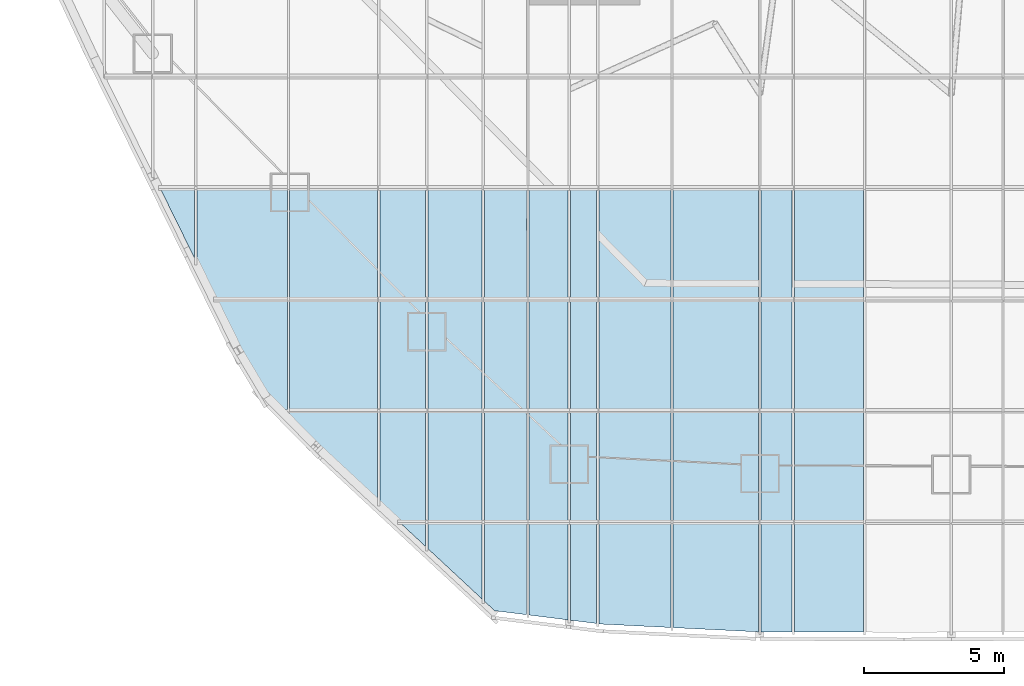
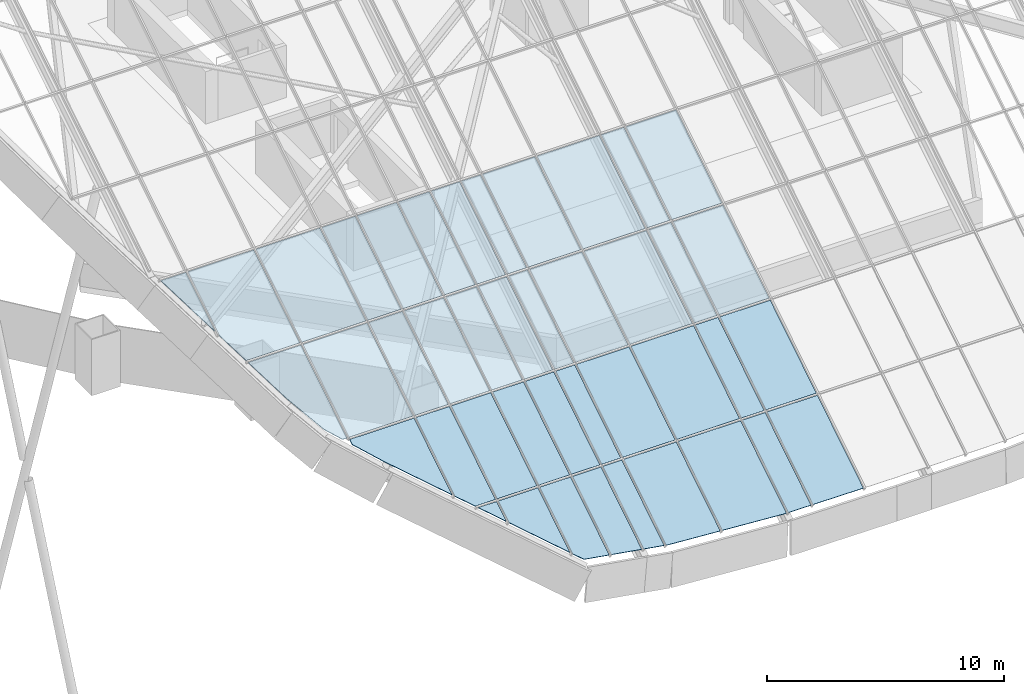
# One storey, part 26 of 38: 42 plates, 42 elements without a shape of their own.
"""IFC4 building model written with IfcOpenShell, lengths in metres."""

from ifc_helpers import new_model, si_unit, direction, frame, origin, place, context, subcontext, project, spatial, polyline, outline, extrude, material, layer, layer_set, type_object, element, aggregate, save


model = new_model("IFC4")

# Units and contexts
model_context = context("Model", 3, precision=1e-05, world=origin(), true_north=direction((0.0, 1.0)))
body_context = subcontext(model_context, "Body", "Model", "MODEL_VIEW")
ifc_project = project(units=[si_unit("LENGTHUNIT", "METRE"), si_unit("AREAUNIT", "SQUARE_METRE"), si_unit("VOLUMEUNIT", "CUBIC_METRE"), si_unit("PLANEANGLEUNIT", "RADIAN"), si_unit("MASSUNIT", "GRAM", prefix="KILO")], contexts=[model_context])

# Site, building, storey
site_placement = place(None, origin())
site = spatial("IfcSite", under=ifc_project, at=site_placement, CompositionType="ELEMENT")
building_placement = place(site_placement, origin())
building = spatial("IfcBuilding", under=site, at=building_placement, Name="Dongbaek Canopy Tower", CompositionType="ELEMENT")
storey_placement = place(building_placement, frame((0.0, 0.0, 375.800048828125)))
storey = spatial("IfcBuildingStorey", under=building, at=storey_placement, Name="Roof", CompositionType="ELEMENT", Elevation=375.800048828125)

# Curtain wall, plate
ifc_material_1 = material(Name="Aluminium 6063-T6 pale anodised", Category="aluminium")
ifc_layer_1 = layer(ifc_material_1, 0.199951171875)
ifc_layer_set_1 = layer_set([ifc_layer_1], Name="CW-6 canopy glazing curtain wall")
curtain_wall_type = type_object("IfcCurtainWallType", Name="CW-6 canopy glazing curtain wall", PredefinedType="NOTDEFINED", material=ifc_layer_set_1)
curtain_wall_1_placement = place(storey_placement, origin())
curtain_wall_1 = element("IfcCurtainWall", 1, at=curtain_wall_1_placement, inside=storey, type_object=curtain_wall_type, Name="CW-6 canopy glazing south 4.5", PredefinedType="NOTDEFINED")
ifc_material_2 = material(Name="Clear laminated glass", Category="glass")
ifc_layer_2 = layer(ifc_material_2, 0.0400390625)
ifc_layer_set_2 = layer_set([ifc_layer_2], Name="CW-6 glazed panel 40")
plate_type = type_object("IfcPlateType", Name="CW-6 glazed panel 40", PredefinedType="CURTAIN_PANEL", material=ifc_layer_set_2)
plate_1_placement = place(storey_placement, frame((-25.389892578125, -19.463623046875, 6.5849609375), z_axis=(0.0, -0.529931286674, 0.848040583583), x_axis=(-0.385038565843, 0.782657064786, 0.489073840799)))
plate_1 = element("IfcPlate", 2, at=plate_1_placement, type_object=plate_type, Name="CW-6 panel S4.5", PredefinedType="CURTAIN_PANEL", context=body_context, shape_type="SweptSolid", body=[
    extrude(outline(polyline([(0.0, 0.0), (3.1633651435865215, 1.1102230246251565e-16), (2.694381402133434, -1.1241090120064663), (0.0, 0.0)])), origin(), (0.0, 0.0, -1.0), 0.0400390625),
])
aggregate(curtain_wall_1, [plate_1])

curtain_wall_2_placement = place(storey_placement, origin())
curtain_wall_2 = element("IfcCurtainWall", 3, at=curtain_wall_2_placement, inside=storey, type_object=curtain_wall_type, Name="CW-6 canopy glazing south 5.5", PredefinedType="NOTDEFINED")
plate_2_placement = place(storey_placement, frame((-25.303955078125, -19.638427734375, 6.475830078125), z_axis=(2.2826719e-05, -0.529943862908, 0.848032724395), x_axis=(9.74e-10, 0.848032724616, 0.529943863046)))
plate_2 = element("IfcPlate", 4, at=plate_2_placement, type_object=plate_type, Name="CW-6 panel S5.5", PredefinedType="CURTAIN_PANEL", context=body_context, shape_type="SweptSolid", body=[
    extrude(outline(polyline([(0.0, 0.0), (3.125544545425183, -6.776263578034403e-21), (3.125544548572653, -3.2299804679084945), (-1.4735160863226429, -3.2299804727103907), (-1.473516088871071, -0.6147460983917369), (0.0, 0.0)])), origin(), (0.0, 0.0, -1.0), 0.0400390625),
])
aggregate(curtain_wall_2, [plate_2])

curtain_wall_3_placement = place(storey_placement, origin())
curtain_wall_3 = element("IfcCurtainWall", 5, at=curtain_wall_3_placement, inside=storey, type_object=curtain_wall_type, Name="CW-6 canopy glazing south 5.6", PredefinedType="NOTDEFINED")
plate_3_placement = place(storey_placement, frame((-23.782470703125, -22.731689453125, 4.54296875), z_axis=(-6.46319e-06, -0.529913545539, 0.848051669542), x_axis=(-0.384990735615, 0.782685536243, 0.489065930981)))
plate_3 = element("IfcPlate", 6, at=plate_3_placement, type_object=plate_type, Name="CW-6 panel S5.6", PredefinedType="CURTAIN_PANEL", context=body_context, shape_type="SweptSolid", body=[
    extrude(outline(polyline([(0.0, 0.0), (2.2455136542431804, -8.326672684688674e-17), (1.2549332434415752, -2.374672482403024), (-2.9895144041511537, -0.6041265544659971), (-2.909903282797234, -0.4132785050689611), (-2.0587526487570957, -0.14932947455089693), (0.0, 0.0)])), origin(), (0.0, 0.0, -1.0), 0.0400390625),
])
aggregate(curtain_wall_3, [plate_3])

curtain_wall_4_placement = place(storey_placement, origin())
curtain_wall_4 = element("IfcCurtainWall", 7, at=curtain_wall_4_placement, inside=storey, type_object=curtain_wall_type, Name="CW-6 canopy glazing south 6.5", PredefinedType="NOTDEFINED")
plate_4_placement = place(storey_placement, frame((-21.988037109375, -16.98779296875, 8.132080078125), z_axis=(0.0, -0.529946450558, 0.848031107649), x_axis=(1.0, 0.0, 0.0)))
plate_4 = element("IfcPlate", 8, at=plate_4_placement, type_object=plate_type, Name="CW-6 panel S6.5", PredefinedType="CURTAIN_PANEL", context=body_context, shape_type="SweptSolid", body=[
    extrude(outline(polyline([(0.0, 0.0), (3.138916015625, 0.0), (3.138916015625, -4.599060634916705), (0.0, -4.599060634916705), (0.0, 0.0)])), origin(), (0.0, 0.0, -1.0), 0.0400390625),
])
aggregate(curtain_wall_4, [plate_4])

curtain_wall_5_placement = place(storey_placement, origin())
curtain_wall_5 = element("IfcCurtainWall", 9, at=curtain_wall_5_placement, inside=storey, type_object=curtain_wall_type, Name="CW-6 canopy glazing south 6.6", PredefinedType="NOTDEFINED")
plate_5_placement = place(storey_placement, frame((-21.988037109375, -20.97412109375, 5.64111328125), z_axis=(0.0, -0.52990827259, 0.848054964398), x_axis=(1.0, 0.0, 0.0)))
plate_5 = element("IfcPlate", 10, at=plate_5_placement, type_object=plate_type, Name="CW-6 panel S6.6", PredefinedType="CURTAIN_PANEL", context=body_context, shape_type="SweptSolid", body=[
    extrude(outline(polyline([(0.0, 0.0), (3.138916015625, 0.0), (3.138916015625, -4.59893125811938), (0.0, -4.59893125811938), (0.0, 0.0)])), origin(), (0.0, 0.0, -1.0), 0.0400390625),
])
aggregate(curtain_wall_5, [plate_5])

curtain_wall_6_placement = place(storey_placement, origin())
curtain_wall_6 = element("IfcCurtainWall", 11, at=curtain_wall_6_placement, inside=storey, type_object=curtain_wall_type, Name="CW-6 canopy glazing south 6.7", PredefinedType="NOTDEFINED")
plate_6_placement = place(storey_placement, frame((-21.988037109375, -25.171630859375, 3.018310546875), z_axis=(-1.819021e-05, -0.529949508766, 0.84802919633), x_axis=(-2.716e-09, 0.84802919647, 0.529949508854)))
plate_6 = element("IfcPlate", 12, at=plate_6_placement, type_object=plate_type, Name="CW-6 panel S6.7", PredefinedType="CURTAIN_PANEL", context=body_context, shape_type="SweptSolid", body=[
    extrude(outline(polyline([(0.0, 0.0), (0.24929100791820252, 0.0), (0.249290999391876, -3.138916015105692), (-3.5390368833361543, -3.1389160059766827), (-1.150185687059201, -0.9606933544014763), (0.0, 0.0)])), origin(), (0.0, 0.0, -1.0), 0.0400390625),
])
aggregate(curtain_wall_6, [plate_6])

curtain_wall_7_placement = place(storey_placement, origin())
curtain_wall_7 = element("IfcCurtainWall", 13, at=curtain_wall_7_placement, inside=storey, type_object=curtain_wall_type, Name="CW-6 canopy glazing south 7.5", PredefinedType="NOTDEFINED")
plate_7_placement = place(storey_placement, frame((-18.762939453125, -16.98779296875, 8.132080078125), z_axis=(0.0, -0.529946450558, 0.848031107649), x_axis=(1.0, 0.0, 0.0)))
plate_7 = element("IfcPlate", 14, at=plate_7_placement, type_object=plate_type, Name="CW-6 panel S7.5", PredefinedType="CURTAIN_PANEL", context=body_context, shape_type="SweptSolid", body=[
    extrude(outline(polyline([(0.0, 0.0), (1.635986328125, 0.0), (1.635986328125, -4.599060634916705), (0.0, -4.599060634916705), (0.0, 0.0)])), origin(), (0.0, 0.0, -1.0), 0.0400390625),
])
aggregate(curtain_wall_7, [plate_7])

curtain_wall_8_placement = place(storey_placement, origin())
curtain_wall_8 = element("IfcCurtainWall", 15, at=curtain_wall_8_placement, inside=storey, type_object=curtain_wall_type, Name="CW-6 canopy glazing south 7.6", PredefinedType="NOTDEFINED")
plate_8_placement = place(storey_placement, frame((-18.762939453125, -20.97412109375, 5.64111328125), z_axis=(0.0, -0.52990827259, 0.848054964398), x_axis=(1.0, 0.0, 0.0)))
plate_8 = element("IfcPlate", 16, at=plate_8_placement, type_object=plate_type, Name="CW-6 panel S7.6", PredefinedType="CURTAIN_PANEL", context=body_context, shape_type="SweptSolid", body=[
    extrude(outline(polyline([(0.0, 0.0), (1.635986328125, 0.0), (1.635986328125, -4.59893125811938), (0.0, -4.59893125811938), (0.0, 0.0)])), origin(), (0.0, 0.0, -1.0), 0.0400390625),
])
aggregate(curtain_wall_8, [plate_8])

curtain_wall_9_placement = place(storey_placement, origin())
curtain_wall_9 = element("IfcCurtainWall", 17, at=curtain_wall_9_placement, inside=storey, type_object=curtain_wall_type, Name="CW-6 canopy glazing south 7.7", PredefinedType="NOTDEFINED")
plate_9_placement = place(storey_placement, frame((-18.762939453125, -24.960205078125, 3.150390625), z_axis=(3.8481889e-05, -0.529941814352, 0.848034003988), x_axis=(0.99999999926, 2.0393162e-05, -3.2633951e-05)))
plate_9 = element("IfcPlate", 18, at=plate_9_placement, type_object=plate_type, Name="CW-6 panel S7.7", PredefinedType="CURTAIN_PANEL", context=body_context, shape_type="SweptSolid", body=[
    extrude(outline(polyline([(0.0, 0.0), (1.63598632691367, 5.5429372847178384e-21), (1.6359863278811433, -4.599060634847988), (0.6533203129837366, -4.599060634847988), (-3.877846560667599e-09, -3.8824234031018836), (0.0, 0.0)])), origin(), (0.0, 0.0, -1.0), 0.0400390625),
])
aggregate(curtain_wall_9, [plate_9])

curtain_wall_10_placement = place(storey_placement, origin())
curtain_wall_10 = element("IfcCurtainWall", 19, at=curtain_wall_10_placement, inside=storey, type_object=curtain_wall_type, Name="CW-6 canopy glazing south 7.8", PredefinedType="NOTDEFINED")
plate_10_placement = place(storey_placement, frame((-17.126953125, -29.774169921875, 0.14208984375), z_axis=(0.0, -0.530043908013, 0.847970197341), x_axis=(-0.673851085946, 0.626537350894, 0.391632049128)))
plate_10 = element("IfcPlate", 20, at=plate_10_placement, type_object=plate_type, Name="CW-6 panel S7.8", PredefinedType="CURTAIN_PANEL", context=body_context, shape_type="SweptSolid", body=[
    extrude(outline(polyline([(0.0, 0.0), (1.3209694802226115, 5.551115123125783e-17), (0.721149885652198, -0.6576928097800685), (0.0, 0.0)])), origin(), (0.0, 0.0, -1.0), 0.0400390625),
])
aggregate(curtain_wall_10, [plate_10])

curtain_wall_11_placement = place(storey_placement, origin())
curtain_wall_11 = element("IfcCurtainWall", 21, at=curtain_wall_11_placement, inside=storey, type_object=curtain_wall_type, Name="CW-6 canopy glazing south 8.5", PredefinedType="NOTDEFINED")
plate_11_placement = place(storey_placement, frame((-17.041015625, -16.98779296875, 8.132080078125), z_axis=(0.0, -0.529946450558, 0.848031107649), x_axis=(1.0, 0.0, 0.0)))
plate_11 = element("IfcPlate", 22, at=plate_11_placement, type_object=plate_type, Name="CW-6 panel S8.5", PredefinedType="CURTAIN_PANEL", context=body_context, shape_type="SweptSolid", body=[
    extrude(outline(polyline([(0.0, 0.0), (1.93603515625, 0.0), (1.93603515625, -4.599060634916705), (0.0, -4.599060634916705), (0.0, 0.0)])), origin(), (0.0, 0.0, -1.0), 0.0400390625),
])
aggregate(curtain_wall_11, [plate_11])

curtain_wall_12_placement = place(storey_placement, origin())
curtain_wall_12 = element("IfcCurtainWall", 23, at=curtain_wall_12_placement, inside=storey, type_object=curtain_wall_type, Name="CW-6 canopy glazing south 8.6", PredefinedType="NOTDEFINED")
plate_12_placement = place(storey_placement, frame((-17.041015625, -20.97412109375, 5.64111328125), z_axis=(0.0, -0.52990827259, 0.848054964398), x_axis=(1.0, 0.0, 0.0)))
plate_12 = element("IfcPlate", 24, at=plate_12_placement, type_object=plate_type, Name="CW-6 panel S8.6", PredefinedType="CURTAIN_PANEL", context=body_context, shape_type="SweptSolid", body=[
    extrude(outline(polyline([(0.0, 0.0), (1.93603515625, 0.0), (1.93603515625, -4.59893125811938), (0.0, -4.59893125811938), (0.0, 0.0)])), origin(), (0.0, 0.0, -1.0), 0.0400390625),
])
aggregate(curtain_wall_12, [plate_12])

curtain_wall_13_placement = place(storey_placement, origin())
curtain_wall_13 = element("IfcCurtainWall", 25, at=curtain_wall_13_placement, inside=storey, type_object=curtain_wall_type, Name="CW-6 canopy glazing south 8.7", PredefinedType="NOTDEFINED")
plate_13_placement = place(storey_placement, frame((-17.041015625, -24.960205078125, 3.150390625), z_axis=(0.0, -0.529946450558, 0.848031107649), x_axis=(1.0, 0.0, 0.0)))
plate_13 = element("IfcPlate", 26, at=plate_13_placement, type_object=plate_type, Name="CW-6 panel S8.7", PredefinedType="CURTAIN_PANEL", context=body_context, shape_type="SweptSolid", body=[
    extrude(outline(polyline([(0.0, 0.0), (1.93603515625, 0.0), (1.93603515625, -4.599060634916705), (0.0, -4.599060634916705), (0.0, 0.0)])), origin(), (0.0, 0.0, -1.0), 0.0400390625),
])
aggregate(curtain_wall_13, [plate_13])

curtain_wall_14_placement = place(storey_placement, origin())
curtain_wall_14 = element("IfcCurtainWall", 27, at=curtain_wall_14_placement, inside=storey, type_object=curtain_wall_type, Name="CW-6 canopy glazing south 8.8", PredefinedType="NOTDEFINED")
plate_14_placement = place(storey_placement, frame((-17.041015625, -28.946533203125, 0.659423828125), z_axis=(3.025445e-06, -0.52988055539, 0.848072282892), x_axis=(0.999999999995, 1.603125e-06, -2.565796e-06)))
plate_14 = element("IfcPlate", 28, at=plate_14_placement, type_object=plate_type, Name="CW-6 panel S8.8", PredefinedType="CURTAIN_PANEL", context=body_context, shape_type="SweptSolid", body=[
    extrude(outline(polyline([(0.0, 0.0), (1.9360351562411393, 4.0997139109659434e-22), (1.9360351562588605, -3.193424795799325), (-1.772114936114543e-11, -1.0703235541956075), (0.0, 0.0)])), origin(), (0.0, 0.0, -1.0), 0.0400390625),
])
aggregate(curtain_wall_14, [plate_14])

curtain_wall_15_placement = place(storey_placement, origin())
curtain_wall_15 = element("IfcCurtainWall", 29, at=curtain_wall_15_placement, inside=storey, type_object=curtain_wall_type, Name="CW-6 canopy glazing south 9.5", PredefinedType="NOTDEFINED")
plate_15_placement = place(storey_placement, frame((-15.01904296875, -16.98779296875, 8.132080078125), z_axis=(0.0, -0.529946450558, 0.848031107649), x_axis=(1.0, 0.0, 0.0)))
plate_15 = element("IfcPlate", 30, at=plate_15_placement, type_object=plate_type, Name="CW-6 panel S9.5", PredefinedType="CURTAIN_PANEL", context=body_context, shape_type="SweptSolid", body=[
    extrude(outline(polyline([(0.0, 0.0), (1.51123046875, 0.0), (1.51123046875, -4.599060634916705), (0.0, -4.599060634916705), (0.0, 0.0)])), origin(), (0.0, 0.0, -1.0), 0.0400390625),
])
aggregate(curtain_wall_15, [plate_15])

curtain_wall_16_placement = place(storey_placement, origin())
curtain_wall_16 = element("IfcCurtainWall", 31, at=curtain_wall_16_placement, inside=storey, type_object=curtain_wall_type, Name="CW-6 canopy glazing south 9.6", PredefinedType="NOTDEFINED")
plate_16_placement = place(storey_placement, frame((-15.01904296875, -20.97412109375, 5.64111328125), z_axis=(0.0, -0.52990827259, 0.848054964398), x_axis=(1.0, 0.0, 0.0)))
plate_16 = element("IfcPlate", 32, at=plate_16_placement, type_object=plate_type, Name="CW-6 panel S9.6", PredefinedType="CURTAIN_PANEL", context=body_context, shape_type="SweptSolid", body=[
    extrude(outline(polyline([(0.0, 0.0), (1.51123046875, 0.0), (1.51123046875, -4.59893125811938), (0.0, -4.59893125811938), (0.0, 0.0)])), origin(), (0.0, 0.0, -1.0), 0.0400390625),
])
aggregate(curtain_wall_16, [plate_16])

curtain_wall_17_placement = place(storey_placement, origin())
curtain_wall_17 = element("IfcCurtainWall", 33, at=curtain_wall_17_placement, inside=storey, type_object=curtain_wall_type, Name="CW-6 canopy glazing south 9.7", PredefinedType="NOTDEFINED")
plate_17_placement = place(storey_placement, frame((-15.01904296875, -24.960205078125, 3.150390625), z_axis=(0.0, -0.529946450558, 0.848031107649), x_axis=(1.0, 0.0, 0.0)))
plate_17 = element("IfcPlate", 34, at=plate_17_placement, type_object=plate_type, Name="CW-6 panel S9.7", PredefinedType="CURTAIN_PANEL", context=body_context, shape_type="SweptSolid", body=[
    extrude(outline(polyline([(0.0, 0.0), (1.51123046875, 0.0), (1.51123046875, -4.599060634916705), (0.0, -4.599060634916705), (0.0, 0.0)])), origin(), (0.0, 0.0, -1.0), 0.0400390625),
])
aggregate(curtain_wall_17, [plate_17])

curtain_wall_18_placement = place(storey_placement, origin())
curtain_wall_18 = element("IfcCurtainWall", 35, at=curtain_wall_18_placement, inside=storey, type_object=curtain_wall_type, Name="CW-6 canopy glazing south 9.8", PredefinedType="NOTDEFINED")
plate_18_placement = place(storey_placement, frame((-15.01904296875, -31.734619140625, -1.082763671875), z_axis=(3.0834152e-05, -0.529915243574, 0.848050607969), x_axis=(-1.31e-10, 0.848050608372, 0.529915243826)))
plate_18 = element("IfcPlate", 36, at=plate_18_placement, type_object=plate_type, Name="CW-6 panel S9.8", PredefinedType="CURTAIN_PANEL", context=body_context, shape_type="SweptSolid", body=[
    extrude(outline(polyline([(0.0, 0.0), (3.2876496893445717, -6.776263578034403e-21), (3.2876496891471367, -1.5112304680316027), (-0.5674715161875895, -1.511230470482342), (-0.39866376433101125, -0.3635253876235538), (0.0, 0.0)])), origin(), (0.0, 0.0, -1.0), 0.0400390625),
])
aggregate(curtain_wall_18, [plate_18])

curtain_wall_19_placement = place(storey_placement, origin())
curtain_wall_19 = element("IfcCurtainWall", 37, at=curtain_wall_19_placement, inside=storey, type_object=curtain_wall_type, Name="CW-6 canopy glazing south 10.5", PredefinedType="NOTDEFINED")
plate_19_placement = place(storey_placement, frame((-13.421630859375, -16.98779296875, 8.132080078125), z_axis=(0.0, -0.529946450558, 0.848031107649), x_axis=(1.0, 0.0, 0.0)))
plate_19 = element("IfcPlate", 38, at=plate_19_placement, type_object=plate_type, Name="CW-6 panel S10.5", PredefinedType="CURTAIN_PANEL", context=body_context, shape_type="SweptSolid", body=[
    extrude(outline(polyline([(0.0, 0.0), (1.3935546875, 0.0), (1.3935546875, -4.599060634916705), (0.0, -4.599060634916705), (0.0, 0.0)])), origin(), (0.0, 0.0, -1.0), 0.0400390625),
])
aggregate(curtain_wall_19, [plate_19])

curtain_wall_20_placement = place(storey_placement, origin())
curtain_wall_20 = element("IfcCurtainWall", 39, at=curtain_wall_20_placement, inside=storey, type_object=curtain_wall_type, Name="CW-6 canopy glazing south 10.6", PredefinedType="NOTDEFINED")
plate_20_placement = place(storey_placement, frame((-13.421630859375, -20.97412109375, 5.64111328125), z_axis=(0.0, -0.52990827259, 0.848054964398), x_axis=(1.0, 0.0, 0.0)))
plate_20 = element("IfcPlate", 40, at=plate_20_placement, type_object=plate_type, Name="CW-6 panel S10.6", PredefinedType="CURTAIN_PANEL", context=body_context, shape_type="SweptSolid", body=[
    extrude(outline(polyline([(0.0, 0.0), (1.3935546875, 0.0), (1.3935546875, -4.59893125811938), (0.0, -4.59893125811938), (0.0, 0.0)])), origin(), (0.0, 0.0, -1.0), 0.0400390625),
])
aggregate(curtain_wall_20, [plate_20])

curtain_wall_21_placement = place(storey_placement, origin())
curtain_wall_21 = element("IfcCurtainWall", 41, at=curtain_wall_21_placement, inside=storey, type_object=curtain_wall_type, Name="CW-6 canopy glazing south 10.7", PredefinedType="NOTDEFINED")
plate_21_placement = place(storey_placement, frame((-13.421630859375, -24.960205078125, 3.150390625), z_axis=(0.0, -0.529946450558, 0.848031107649), x_axis=(1.0, 0.0, 0.0)))
plate_21 = element("IfcPlate", 42, at=plate_21_placement, type_object=plate_type, Name="CW-6 panel S10.7", PredefinedType="CURTAIN_PANEL", context=body_context, shape_type="SweptSolid", body=[
    extrude(outline(polyline([(0.0, 0.0), (1.3935546875, 0.0), (1.3935546875, -4.599060634916705), (0.0, -4.599060634916705), (0.0, 0.0)])), origin(), (0.0, 0.0, -1.0), 0.0400390625),
])
aggregate(curtain_wall_21, [plate_21])

curtain_wall_22_placement = place(storey_placement, origin())
curtain_wall_22 = element("IfcCurtainWall", 43, at=curtain_wall_22_placement, inside=storey, type_object=curtain_wall_type, Name="CW-6 canopy glazing south 10.8", PredefinedType="NOTDEFINED")
plate_22_placement = place(storey_placement, frame((-13.421630859375, -28.946533203125, 0.659423828125), z_axis=(3.4337889e-05, -0.529924320067, 0.848044936204), x_axis=(0.99999999941, 1.8196482e-05, -2.9120073e-05)))
plate_22 = element("IfcPlate", 44, at=plate_22_placement, type_object=plate_type, Name="CW-6 panel S10.8", PredefinedType="CURTAIN_PANEL", context=body_context, shape_type="SweptSolid", body=[
    extrude(outline(polyline([(0.0, 0.0), (1.3935546866784363, 0.0), (1.3935546883215635, -4.073047041252923), (-1.6431272484258375e-09, -3.8677242173369946), (0.0, 0.0)])), origin(), (0.0, 0.0, -1.0), 0.0400390625),
])
aggregate(curtain_wall_22, [plate_22])

curtain_wall_23_placement = place(storey_placement, origin())
curtain_wall_23 = element("IfcCurtainWall", 45, at=curtain_wall_23_placement, inside=storey, type_object=curtain_wall_type, Name="CW-6 canopy glazing south 11.5", PredefinedType="NOTDEFINED")
plate_23_placement = place(storey_placement, frame((-11.94189453125, -16.98779296875, 8.132080078125), z_axis=(0.0, -0.529946450558, 0.848031107649), x_axis=(1.0, 0.0, 0.0)))
plate_23 = element("IfcPlate", 46, at=plate_23_placement, type_object=plate_type, Name="CW-6 panel S11.5", PredefinedType="CURTAIN_PANEL", context=body_context, shape_type="SweptSolid", body=[
    extrude(outline(polyline([(0.0, 0.0), (0.93408203125, 0.0), (0.93408203125, -4.599060634916705), (0.0, -4.599060634916705), (0.0, 0.0)])), origin(), (0.0, 0.0, -1.0), 0.0400390625),
])
aggregate(curtain_wall_23, [plate_23])

curtain_wall_24_placement = place(storey_placement, origin())
curtain_wall_24 = element("IfcCurtainWall", 47, at=curtain_wall_24_placement, inside=storey, type_object=curtain_wall_type, Name="CW-6 canopy glazing south 11.6", PredefinedType="NOTDEFINED")
plate_24_placement = place(storey_placement, frame((-11.94189453125, -20.97412109375, 5.64111328125), z_axis=(0.0, -0.52990827259, 0.848054964398), x_axis=(1.0, 0.0, 0.0)))
plate_24 = element("IfcPlate", 48, at=plate_24_placement, type_object=plate_type, Name="CW-6 panel S11.6", PredefinedType="CURTAIN_PANEL", context=body_context, shape_type="SweptSolid", body=[
    extrude(outline(polyline([(0.0, 0.0), (0.93408203125, 0.0), (0.93408203125, -4.5989312581193795), (0.0, -4.5989312581193795), (0.0, 0.0)])), origin(), (0.0, 0.0, -1.0), 0.0400390625),
])
aggregate(curtain_wall_24, [plate_24])

curtain_wall_25_placement = place(storey_placement, origin())
curtain_wall_25 = element("IfcCurtainWall", 49, at=curtain_wall_25_placement, inside=storey, type_object=curtain_wall_type, Name="CW-6 canopy glazing south 11.7", PredefinedType="NOTDEFINED")
plate_25_placement = place(storey_placement, frame((-11.94189453125, -24.960205078125, 3.150390625), z_axis=(0.0, -0.529946450558, 0.848031107649), x_axis=(1.0, 0.0, 0.0)))
plate_25 = element("IfcPlate", 50, at=plate_25_placement, type_object=plate_type, Name="CW-6 panel S11.7", PredefinedType="CURTAIN_PANEL", context=body_context, shape_type="SweptSolid", body=[
    extrude(outline(polyline([(0.0, 0.0), (0.93408203125, 0.0), (0.93408203125, -4.599060634916705), (0.0, -4.599060634916705), (0.0, 0.0)])), origin(), (0.0, 0.0, -1.0), 0.0400390625),
])
aggregate(curtain_wall_25, [plate_25])

curtain_wall_26_placement = place(storey_placement, origin())
curtain_wall_26 = element("IfcCurtainWall", 51, at=curtain_wall_26_placement, inside=storey, type_object=curtain_wall_type, Name="CW-6 canopy glazing south 11.8", PredefinedType="NOTDEFINED")
plate_26_placement = place(storey_placement, frame((-11.94189453125, -28.946533203125, 0.659423828125), z_axis=(3.4589743e-05, -0.52991970272, 0.848047821454), x_axis=(0.999999999402, 1.8329786e-05, -2.9333756e-05)))
plate_26 = element("IfcPlate", 52, at=plate_26_placement, type_object=plate_type, Name="CW-6 panel S11.8", PredefinedType="CURTAIN_PANEL", context=body_context, shape_type="SweptSolid", body=[
    extrude(outline(polyline([(0.0, 0.0), (0.9340820306912087, 3.164793023627884e-21), (0.9340820318087913, -4.223299674294764), (-1.1175827537707184e-09, -4.085650052686969), (0.0, 0.0)])), origin(), (0.0, 0.0, -1.0), 0.0400390625),
])
aggregate(curtain_wall_26, [plate_26])

curtain_wall_27_placement = place(storey_placement, origin())
curtain_wall_27 = element("IfcCurtainWall", 53, at=curtain_wall_27_placement, inside=storey, type_object=curtain_wall_type, Name="CW-6 canopy glazing south 12.5", PredefinedType="NOTDEFINED")
plate_27_placement = place(storey_placement, frame((-10.921630859375, -16.98779296875, 8.132080078125), z_axis=(0.0, -0.529946450558, 0.848031107649), x_axis=(1.0, 0.0, 0.0)))
plate_27 = element("IfcPlate", 54, at=plate_27_placement, type_object=plate_type, Name="CW-6 panel S12.5", PredefinedType="CURTAIN_PANEL", context=body_context, shape_type="SweptSolid", body=[
    extrude(outline(polyline([(0.0, 0.0), (2.569580078125, 0.0), (2.569580078125, -4.599060634916705), (0.0, -4.599060634916705), (0.0, 0.0)])), origin(), (0.0, 0.0, -1.0), 0.0400390625),
])
aggregate(curtain_wall_27, [plate_27])

curtain_wall_28_placement = place(storey_placement, origin())
curtain_wall_28 = element("IfcCurtainWall", 55, at=curtain_wall_28_placement, inside=storey, type_object=curtain_wall_type, Name="CW-6 canopy glazing south 12.6", PredefinedType="NOTDEFINED")
plate_28_placement = place(storey_placement, frame((-10.921630859375, -20.97412109375, 5.64111328125), z_axis=(0.0, -0.52990827259, 0.848054964398), x_axis=(1.0, 0.0, 0.0)))
plate_28 = element("IfcPlate", 56, at=plate_28_placement, type_object=plate_type, Name="CW-6 panel S12.6", PredefinedType="CURTAIN_PANEL", context=body_context, shape_type="SweptSolid", body=[
    extrude(outline(polyline([(0.0, 0.0), (2.569580078125, 0.0), (2.569580078125, -4.5989312581193795), (0.0, -4.5989312581193795), (0.0, 0.0)])), origin(), (0.0, 0.0, -1.0), 0.0400390625),
])
aggregate(curtain_wall_28, [plate_28])

curtain_wall_29_placement = place(storey_placement, origin())
curtain_wall_29 = element("IfcCurtainWall", 57, at=curtain_wall_29_placement, inside=storey, type_object=curtain_wall_type, Name="CW-6 canopy glazing south 12.7", PredefinedType="NOTDEFINED")
plate_29_placement = place(storey_placement, frame((-10.921630859375, -24.960205078125, 3.150390625), z_axis=(0.0, -0.529946450558, 0.848031107649), x_axis=(1.0, 0.0, 0.0)))
plate_29 = element("IfcPlate", 58, at=plate_29_placement, type_object=plate_type, Name="CW-6 panel S12.7", PredefinedType="CURTAIN_PANEL", context=body_context, shape_type="SweptSolid", body=[
    extrude(outline(polyline([(0.0, 0.0), (2.569580078125, 0.0), (2.569580078125, -4.599060634916705), (0.0, -4.599060634916705), (0.0, 0.0)])), origin(), (0.0, 0.0, -1.0), 0.0400390625),
])
aggregate(curtain_wall_29, [plate_29])

curtain_wall_30_placement = place(storey_placement, origin())
curtain_wall_30 = element("IfcCurtainWall", 59, at=curtain_wall_30_placement, inside=storey, type_object=curtain_wall_type, Name="CW-6 canopy glazing south 12.8", PredefinedType="NOTDEFINED")
plate_30_placement = place(storey_placement, frame((-10.921630859375, -28.946533203125, 0.659423828125), z_axis=(1.7653812e-05, -0.529922410158, 0.848046130172), x_axis=(0.999999999844, 9.355151e-06, -1.4971247e-05)))
plate_30 = element("IfcPlate", 60, at=plate_30_placement, type_object=plate_type, Name="CW-6 panel S12.8", PredefinedType="CURTAIN_PANEL", context=body_context, shape_type="SweptSolid", body=[
    extrude(outline(polyline([(0.0, 0.0), (2.569580077724586, 0.0), (2.5695800778739106, -4.395161148695638), (0.11254882802928257, -4.252361630188381), (-1.4749823194355987e-09, -4.235902685804585), (0.0, 0.0)])), origin(), (0.0, 0.0, -1.0), 0.0400390625),
])
aggregate(curtain_wall_30, [plate_30])

curtain_wall_31_placement = place(storey_placement, origin())
curtain_wall_31 = element("IfcCurtainWall", 61, at=curtain_wall_31_placement, inside=storey, type_object=curtain_wall_type, Name="CW-6 canopy glazing south 13.5", PredefinedType="NOTDEFINED")
plate_31_placement = place(storey_placement, frame((-5.208984375, -20.887939453125, 5.69482421875), z_axis=(0.0, -0.529946450558, 0.848031107649), x_axis=(-1.0, 0.0, 0.0)))
plate_31 = element("IfcPlate", 62, at=plate_31_placement, type_object=plate_type, Name="CW-6 panel S13.5", PredefinedType="CURTAIN_PANEL", context=body_context, shape_type="SweptSolid", body=[
    extrude(outline(polyline([(0.0, 0.0), (3.05712890625, 0.0), (3.05712890625, -4.599060634916706), (0.0, -4.599060634916706), (0.0, 0.0)])), origin(), (0.0, 0.0, -1.0), 0.0400390625),
])
aggregate(curtain_wall_31, [plate_31])

curtain_wall_32_placement = place(storey_placement, origin())
curtain_wall_32 = element("IfcCurtainWall", 63, at=curtain_wall_32_placement, inside=storey, type_object=curtain_wall_type, Name="CW-6 canopy glazing south 13.6", PredefinedType="NOTDEFINED")
plate_32_placement = place(storey_placement, frame((-5.208984375, -24.874267578125, 3.2041015625), z_axis=(0.0, -0.52990827259, 0.848054964398), x_axis=(-1.0, 0.0, 0.0)))
plate_32 = element("IfcPlate", 64, at=plate_32_placement, type_object=plate_type, Name="CW-6 panel S13.6", PredefinedType="CURTAIN_PANEL", context=body_context, shape_type="SweptSolid", body=[
    extrude(outline(polyline([(0.0, 0.0), (3.05712890625, 0.0), (3.05712890625, -4.59893125811938), (0.0, -4.59893125811938), (0.0, 0.0)])), origin(), (0.0, 0.0, -1.0), 0.0400390625),
])
aggregate(curtain_wall_32, [plate_32])

curtain_wall_33_placement = place(storey_placement, origin())
curtain_wall_33 = element("IfcCurtainWall", 65, at=curtain_wall_33_placement, inside=storey, type_object=curtain_wall_type, Name="CW-6 canopy glazing south 13.7", PredefinedType="NOTDEFINED")
plate_33_placement = place(storey_placement, frame((-5.208984375, -28.8603515625, 0.713134765625), z_axis=(0.0, -0.529946450558, 0.848031107649), x_axis=(-1.0, 0.0, 0.0)))
plate_33 = element("IfcPlate", 66, at=plate_33_placement, type_object=plate_type, Name="CW-6 panel S13.7", PredefinedType="CURTAIN_PANEL", context=body_context, shape_type="SweptSolid", body=[
    extrude(outline(polyline([(0.0, 0.0), (3.05712890625, 0.0), (3.05712890625, -4.599060634916706), (0.0, -4.599060634916706), (0.0, 0.0)])), origin(), (0.0, 0.0, -1.0), 0.0400390625),
])
aggregate(curtain_wall_33, [plate_33])

curtain_wall_34_placement = place(storey_placement, origin())
curtain_wall_34 = element("IfcCurtainWall", 67, at=curtain_wall_34_placement, inside=storey, type_object=curtain_wall_type, Name="CW-6 canopy glazing south 13.8", PredefinedType="NOTDEFINED")
plate_34_placement = place(storey_placement, frame((-5.208984375, -32.823974609375, -1.763427734375), z_axis=(-1.717754e-06, -0.529918188162, 0.848048768557), x_axis=(-0.999987488818, 0.004243036718, 0.002649310607)))
plate_34 = element("IfcPlate", 68, at=plate_34_placement, type_object=plate_type, Name="CW-6 panel S13.8", PredefinedType="CURTAIN_PANEL", context=body_context, shape_type="SweptSolid", body=[
    extrude(outline(polyline([(0.0, 0.0), (0.10864393747756222, -2.710505431213761e-20), (3.0579503468645246, -0.15656689300423093), (3.0799616705555026, -4.556822885466852), (0.02287101260135595, -4.572115316641371), (0.0, 0.0)])), origin(), (0.0, 0.0, -1.0), 0.0400390625),
])
aggregate(curtain_wall_34, [plate_34])

curtain_wall_35_placement = place(storey_placement, origin())
curtain_wall_35 = element("IfcCurtainWall", 69, at=curtain_wall_35_placement, inside=storey, type_object=curtain_wall_type, Name="CW-6 canopy glazing south 14.5", PredefinedType="NOTDEFINED")
plate_35_placement = place(storey_placement, frame((-4.0078125, -20.887939453125, 5.69482421875), z_axis=(0.0, -0.529946450558, 0.848031107649), x_axis=(-1.0, 0.0, 0.0)))
plate_35 = element("IfcPlate", 70, at=plate_35_placement, type_object=plate_type, Name="CW-6 panel S14.5", PredefinedType="CURTAIN_PANEL", context=body_context, shape_type="SweptSolid", body=[
    extrude(outline(polyline([(0.0, 0.0), (1.115234375, 0.0), (1.115234375, -4.599060634916705), (0.0, -4.599060634916705), (0.0, 0.0)])), origin(), (0.0, 0.0, -1.0), 0.0400390625),
])
aggregate(curtain_wall_35, [plate_35])

curtain_wall_36_placement = place(storey_placement, origin())
curtain_wall_36 = element("IfcCurtainWall", 71, at=curtain_wall_36_placement, inside=storey, type_object=curtain_wall_type, Name="CW-6 canopy glazing south 14.6", PredefinedType="NOTDEFINED")
plate_36_placement = place(storey_placement, frame((-4.0078125, -24.874267578125, 3.2041015625), z_axis=(0.0, -0.52990827259, 0.848054964398), x_axis=(-1.0, 0.0, 0.0)))
plate_36 = element("IfcPlate", 72, at=plate_36_placement, type_object=plate_type, Name="CW-6 panel S14.6", PredefinedType="CURTAIN_PANEL", context=body_context, shape_type="SweptSolid", body=[
    extrude(outline(polyline([(0.0, 0.0), (1.115234375, 0.0), (1.115234375, -4.5989312581193795), (0.0, -4.5989312581193795), (0.0, 0.0)])), origin(), (0.0, 0.0, -1.0), 0.0400390625),
])
aggregate(curtain_wall_36, [plate_36])

curtain_wall_37_placement = place(storey_placement, origin())
curtain_wall_37 = element("IfcCurtainWall", 73, at=curtain_wall_37_placement, inside=storey, type_object=curtain_wall_type, Name="CW-6 canopy glazing south 14.7", PredefinedType="NOTDEFINED")
plate_37_placement = place(storey_placement, frame((-4.0078125, -28.8603515625, 0.713134765625), z_axis=(0.0, -0.529946450558, 0.848031107649), x_axis=(-1.0, 0.0, 0.0)))
plate_37 = element("IfcPlate", 74, at=plate_37_placement, type_object=plate_type, Name="CW-6 panel S14.7", PredefinedType="CURTAIN_PANEL", context=body_context, shape_type="SweptSolid", body=[
    extrude(outline(polyline([(0.0, 0.0), (1.115234375, 0.0), (1.115234375, -4.599060634916705), (0.0, -4.599060634916705), (0.0, 0.0)])), origin(), (0.0, 0.0, -1.0), 0.0400390625),
])
aggregate(curtain_wall_37, [plate_37])

curtain_wall_38_placement = place(storey_placement, origin())
curtain_wall_38 = element("IfcCurtainWall", 75, at=curtain_wall_38_placement, inside=storey, type_object=curtain_wall_type, Name="CW-6 canopy glazing south 14.8", PredefinedType="NOTDEFINED")
plate_38_placement = place(storey_placement, frame((-4.0078125, -32.8291015625, -1.7666015625), z_axis=(-4.6164277e-05, -0.529917398229, 0.848049260906), x_axis=(-0.999986968281, 0.004353763712, 0.002666085059)))
plate_38 = element("IfcPlate", 76, at=plate_38_placement, type_object=plate_type, Name="CW-6 panel S14.8", PredefinedType="CURTAIN_PANEL", context=body_context, shape_type="SweptSolid", body=[
    extrude(outline(polyline([(0.0, 0.0), (1.1152489109870485, 4.336808689942018e-19), (1.1385916168585657, -4.572449354818279), (0.023371775279464095, -4.578142638521298), (0.0, 0.0)])), origin(), (0.0, 0.0, -1.0), 0.0400390625),
])
aggregate(curtain_wall_38, [plate_38])

curtain_wall_39_placement = place(storey_placement, origin())
curtain_wall_39 = element("IfcCurtainWall", 77, at=curtain_wall_39_placement, inside=storey, type_object=curtain_wall_type, Name="CW-6 canopy glazing south 15.5", PredefinedType="NOTDEFINED")
plate_39_placement = place(storey_placement, frame((-1.4609375, -20.887939453125, 5.69482421875), z_axis=(0.0, -0.529946450558, 0.848031107649), x_axis=(-1.0, 0.0, 0.0)))
plate_39 = element("IfcPlate", 78, at=plate_39_placement, type_object=plate_type, Name="CW-6 panel S15.5", PredefinedType="CURTAIN_PANEL", context=body_context, shape_type="SweptSolid", body=[
    extrude(outline(polyline([(0.0, 0.0), (2.460693359375, 0.0), (2.460693359375, -4.599060634916705), (0.0, -4.599060634916705), (0.0, 0.0)])), origin(), (0.0, 0.0, -1.0), 0.0400390625),
])
aggregate(curtain_wall_39, [plate_39])

curtain_wall_40_placement = place(storey_placement, origin())
curtain_wall_40 = element("IfcCurtainWall", 79, at=curtain_wall_40_placement, inside=storey, type_object=curtain_wall_type, Name="CW-6 canopy glazing south 15.6", PredefinedType="NOTDEFINED")
plate_40_placement = place(storey_placement, frame((-1.4609375, -24.874267578125, 3.2041015625), z_axis=(0.0, -0.52990827259, 0.848054964398), x_axis=(-1.0, 0.0, 0.0)))
plate_40 = element("IfcPlate", 80, at=plate_40_placement, type_object=plate_type, Name="CW-6 panel S15.6", PredefinedType="CURTAIN_PANEL", context=body_context, shape_type="SweptSolid", body=[
    extrude(outline(polyline([(0.0, 0.0), (2.460693359375, 0.0), (2.460693359375, -4.59893125811938), (0.0, -4.59893125811938), (0.0, 0.0)])), origin(), (0.0, 0.0, -1.0), 0.0400390625),
])
aggregate(curtain_wall_40, [plate_40])

curtain_wall_41_placement = place(storey_placement, origin())
curtain_wall_41 = element("IfcCurtainWall", 81, at=curtain_wall_41_placement, inside=storey, type_object=curtain_wall_type, Name="CW-6 canopy glazing south 15.7", PredefinedType="NOTDEFINED")
plate_41_placement = place(storey_placement, frame((-1.4609375, -28.8603515625, 0.713134765625), z_axis=(0.0, -0.529946450558, 0.848031107649), x_axis=(-1.0, 0.0, 0.0)))
plate_41 = element("IfcPlate", 82, at=plate_41_placement, type_object=plate_type, Name="CW-6 panel S15.7", PredefinedType="CURTAIN_PANEL", context=body_context, shape_type="SweptSolid", body=[
    extrude(outline(polyline([(0.0, 0.0), (2.460693359375, 0.0), (2.460693359375, -4.599060634916705), (0.0, -4.599060634916705), (0.0, 0.0)])), origin(), (0.0, 0.0, -1.0), 0.0400390625),
])
aggregate(curtain_wall_41, [plate_41])

curtain_wall_42_placement = place(storey_placement, origin())
curtain_wall_42 = element("IfcCurtainWall", 83, at=curtain_wall_42_placement, inside=storey, type_object=curtain_wall_type, Name="CW-6 canopy glazing south 15.8", PredefinedType="NOTDEFINED")
plate_42_placement = place(storey_placement, frame((-1.4609375, -32.84033203125, -1.773681640625), z_axis=(2.1311232e-05, -0.529907999193, 0.848055134963), x_axis=(-0.99998661331, 0.004376746851, 0.00275994333)))
plate_42 = element("IfcPlate", 84, at=plate_42_placement, type_object=plate_type, Name="CW-6 panel S15.8", PredefinedType="CURTAIN_PANEL", context=body_context, shape_type="SweptSolid", body=[
    extrude(outline(polyline([(0.0, 0.0), (2.4607263014719893, 4.336808689942018e-19), (2.48441782380652, -4.578684464078463), (0.023757404969953502, -4.591416678861534), (0.0, 0.0)])), origin(), (0.0, 0.0, -1.0), 0.0400390625),
])
aggregate(curtain_wall_42, [plate_42])

save(model, "model.ifc")
